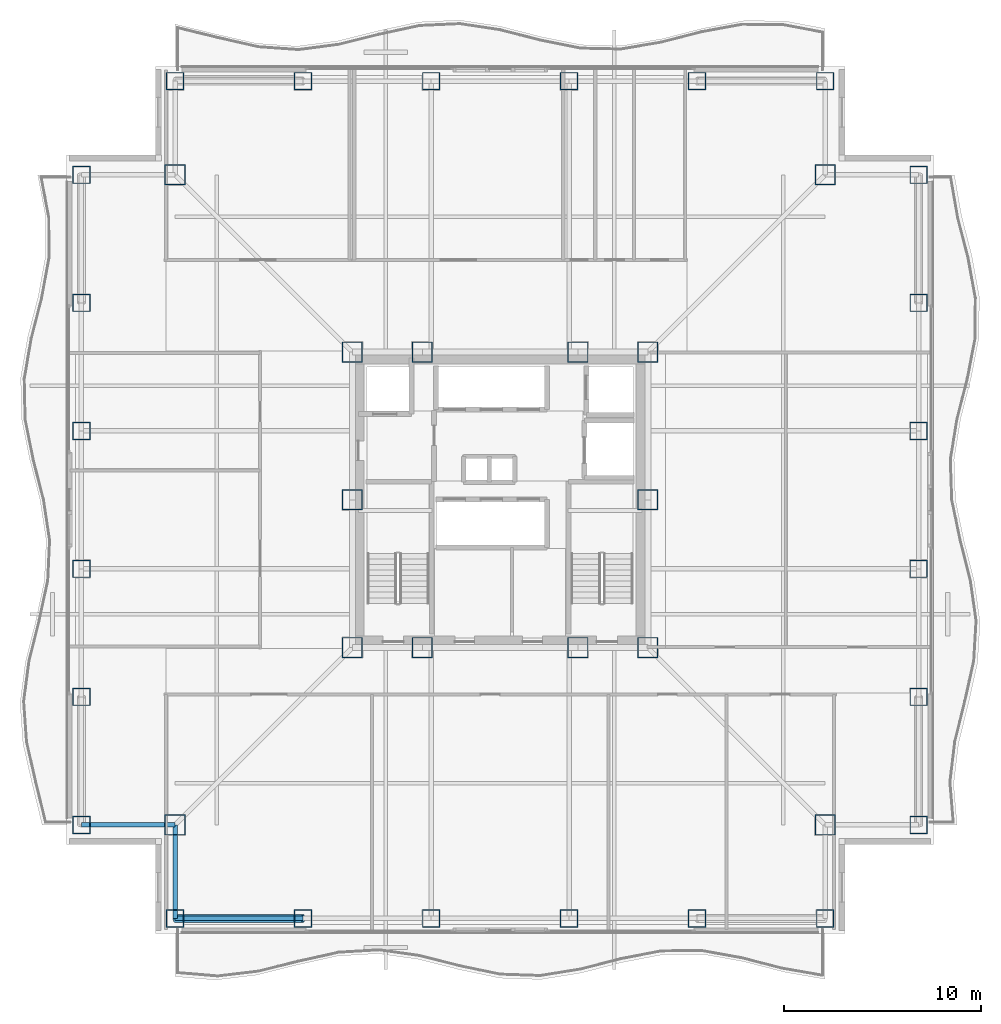
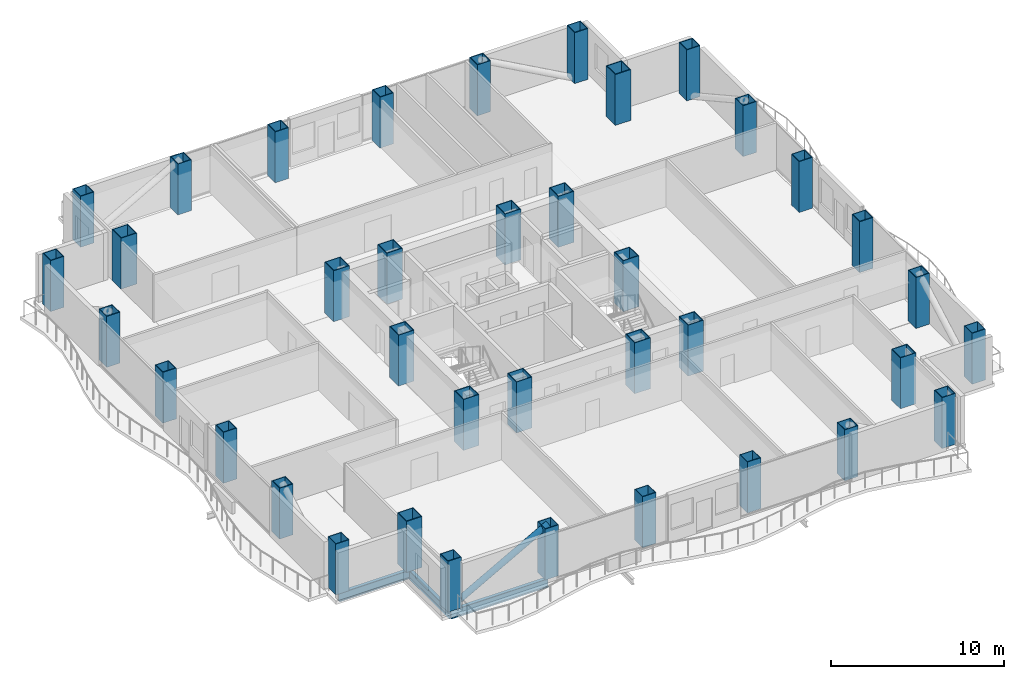
# One storey, part 1 of 18: 38 columns, 3 beams, 1 member.
"""IFC4 building model written with IfcOpenShell, lengths in metres."""

import ifcopenshell
import ifcopenshell.guid

model = None  # the IFC model being written
_history = None  # IfcOwnerHistory: only IFC2X3 demands one
_inside = {}  # id of a spatial element -> (the spatial element, [elements in it])
_under = {}  # id of a project, library or spatial element -> (it, [spatial elements below it])
_declared = {}  # id of a project -> (the project, [libraries it declares])
_typed = {}  # id of a type object -> (the type object, [elements of that type])
_made_of = {}  # id of a material, layer set ... -> (it, [elements and type objects made of it])


def new_model(schema):
    """Start an empty IFC model of exactly this schema.

    Asked for "IFC4X3", IfcOpenShell would pick the latest addendum, in which some entities
    have other attributes; the version numbers below select the first issue.
    IFC2X3 requires an IfcOwnerHistory on every rooted entity: one is made here for all.
    """
    global model, _history
    if schema == "IFC4X3":
        model = ifcopenshell.file(schema_version=(4, 3, 0, 0))
    else:
        model = ifcopenshell.file(schema=schema)
    _inside.clear()
    _under.clear()
    _declared.clear()
    _typed.clear()
    _made_of.clear()
    _history = None
    if model.schema == "IFC2X3":
        org = make("IfcOrganization", Name="unknown")
        user = make(
            "IfcPersonAndOrganization",
            ThePerson=make("IfcPerson", FamilyName="unknown"),
            TheOrganization=org,
        )
        app = make(
            "IfcApplication",
            ApplicationDeveloper=org,
            Version="unknown",
            ApplicationFullName="unknown",
            ApplicationIdentifier="unknown",
        )
        _history = make(
            "IfcOwnerHistory",
            OwningUser=user,
            OwningApplication=app,
            ChangeAction="ADDED",
            CreationDate=0,
        )
    return model


def make(cls, **values):
    """One entity of the class cls with the attributes given. An attribute that is None is left unset."""
    return model.create_entity(
        cls, **{name: value for name, value in values.items() if value is not None}
    )


def rooted(cls, **values):
    """An entity with a GlobalId (a new one), such as an element, a storey or a relation."""
    return make(cls, GlobalId=ifcopenshell.guid.new(), OwnerHistory=_history, **values)


def si_unit(unit_type, name, prefix=None):
    """IfcSIUnit, for example si_unit("LENGTHUNIT", "METRE", prefix="MILLI")."""
    return make("IfcSIUnit", UnitType=unit_type, Prefix=prefix, Name=name)


def assignment(units):
    """IfcUnitAssignment: the units of a project."""
    return None if units is None else make("IfcUnitAssignment", Units=units)


def point(xyz):
    """IfcCartesianPoint."""
    return None if xyz is None else make("IfcCartesianPoint", Coordinates=xyz)


def direction(xyz):
    """IfcDirection."""
    return None if xyz is None else make("IfcDirection", DirectionRatios=xyz)


def frame(location, z_axis=None, x_axis=None):
    """IfcAxis2Placement3D, a coordinate frame: its origin and axes. An axis left out is left unset."""
    return make(
        "IfcAxis2Placement3D",
        Location=point(location),
        Axis=direction(z_axis),
        RefDirection=direction(x_axis),
    )


def frame_2d(location, x_axis=None):
    """IfcAxis2Placement2D, a coordinate frame in the plane: its origin and x axis."""
    return make(
        "IfcAxis2Placement2D", Location=point(location), RefDirection=direction(x_axis)
    )


def origin():
    """The frame at (0, 0, 0) with its axes left unset."""
    return frame((0.0, 0.0, 0.0))


def origin_2d():
    """The frame at (0, 0) in the plane with its x axis left unset."""
    return frame_2d((0.0, 0.0))


def place(relative_to, where):
    """IfcLocalPlacement: puts the frame where relative to a parent placement (None: the world)."""
    return make(
        "IfcLocalPlacement", PlacementRelTo=relative_to, RelativePlacement=where
    )


def context(
    kind, dimensions, precision=None, world=None, true_north=None, identifier=None
):
    """IfcGeometricRepresentationContext, for example the 3D "Model" context."""
    return make(
        "IfcGeometricRepresentationContext",
        ContextIdentifier=identifier,
        ContextType=kind,
        CoordinateSpaceDimension=dimensions,
        Precision=precision,
        WorldCoordinateSystem=world,
        TrueNorth=true_north,
    )


def subcontext(parent, identifier, kind, view, scale=None):
    """IfcGeometricRepresentationSubContext, for example "Body" below "Model"."""
    return make(
        "IfcGeometricRepresentationSubContext",
        ContextIdentifier=identifier,
        ContextType=kind,
        ParentContext=parent,
        TargetScale=scale,
        TargetView=view,
    )


def project(units=None, contexts=None):
    """IfcProject with its units and contexts."""
    return rooted(
        "IfcProject",
        Name="project",
        RepresentationContexts=contexts,
        UnitsInContext=assignment(units),
    )


def spatial(cls, under=None, at=None, **own):
    """A site, building, storey or space (cls), placed at a placement, below another one or the project."""
    s = rooted(cls, ObjectPlacement=at, **own)
    if under is not None:
        _under.setdefault(under.id(), (under, []))[1].append(s)
    return s


def profile(cls, at=None, kind="AREA", **sizes):
    """A parametric profile (cls). Its sizes go by their IFC names, for example OverallWidth=200.0."""
    return make(cls, ProfileType=kind, Position=at, **sizes)


def hollow_rectangle(**sizes):
    """IfcRectangleHollowProfileDef."""
    return profile("IfcRectangleHollowProfileDef", **sizes)


def hollow_circle(**sizes):
    """IfcCircleHollowProfileDef."""
    return profile("IfcCircleHollowProfileDef", **sizes)


def i_section(**sizes):
    """IfcIShapeProfileDef."""
    return profile("IfcIShapeProfileDef", **sizes)


def extrude(swept, where, along, depth):
    """IfcExtrudedAreaSolid: the profile swept, set in the frame where, extruded along a direction by depth."""
    return make(
        "IfcExtrudedAreaSolid",
        SweptArea=swept,
        Position=where,
        ExtrudedDirection=direction(along),
        Depth=depth,
    )


def shape(context_of_items, identifier, shape_type, items):
    """IfcShapeRepresentation: the items that make up one representation, for example the "Body"."""
    return make(
        "IfcShapeRepresentation",
        ContextOfItems=context_of_items,
        RepresentationIdentifier=identifier,
        RepresentationType=shape_type,
        Items=items,
    )


def material(Name=None, Category=None):
    """IfcMaterial."""
    return make("IfcMaterial", Name=Name, Category=Category)


def material_profile(
    of_material, cross_section, Name=None, Category=None, Priority=None
):
    """IfcMaterialProfile: a cross section and its material."""
    return make(
        "IfcMaterialProfile",
        Name=Name,
        Material=of_material,
        Profile=cross_section,
        Priority=Priority,
        Category=Category,
    )


def profile_set(profiles, Name=None, composite=None):
    """IfcMaterialProfileSet."""
    return make(
        "IfcMaterialProfileSet",
        Name=Name,
        MaterialProfiles=profiles,
        CompositeProfile=composite,
    )


def made_of(thing, what):
    """Note that an element or type object is made of a material, layer set ...; save() writes the relation."""
    if what is not None:
        _made_of.setdefault(what.id(), (what, []))[1].append(thing)
    return thing


def type_object(cls, material=None, **own):
    """A type object (cls), such as IfcWallType, which elements share."""
    return made_of(rooted(cls, **own), material)


def element(
    cls,
    number,
    at=None,
    inside=None,
    cuts=None,
    type_object=None,
    material=None,
    context=None,
    identifier="Body",
    shape_type=None,
    held_by="IfcProductDefinitionShape",
    body=None,
    shapes=None,
    **own,
):
    """One element of the class cls, such as IfcWall. Its Tag is "e" and its number.

    at: its placement. inside: the storey or other place that contains it. cuts: it is an
    opening in that element (IfcRelVoidsElement). A single representation is given by context,
    identifier, shape_type and body (its items); several are given by shapes. held_by: the class
    of the entity that holds the representations. save() writes the other relations.
    """
    e = rooted(cls, Tag="e%d" % number, ObjectPlacement=at, **own)
    if body is not None:
        shapes = [shape(context, identifier, shape_type, body)]
    if shapes is not None:
        e.Representation = make(held_by, Representations=shapes)
    if inside is not None:
        _inside.setdefault(inside.id(), (inside, []))[1].append(e)
    if cuts is not None:
        rooted(
            "IfcRelVoidsElement", RelatingBuildingElement=cuts, RelatedOpeningElement=e
        )
    if type_object is not None:
        _typed.setdefault(type_object.id(), (type_object, []))[1].append(e)
    return made_of(e, material)


def aggregate(whole, parts):
    """IfcRelAggregates: a whole, such as a stair, and the parts it consists of."""
    return rooted("IfcRelAggregates", RelatingObject=whole, RelatedObjects=parts)


def save(model, path):
    """Write the relations noted so far, then the file.

    IfcRelAggregates (storeys below a building ...), IfcRelContainedInSpatialStructure (elements
    in a storey), IfcRelDefinesByType, IfcRelAssociatesMaterial and IfcRelDeclares: one each for
    every whole, place, type object, material and project.
    """
    for whole, parts in _under.values():
        aggregate(whole, parts)
    for where, things in _inside.values():
        rooted(
            "IfcRelContainedInSpatialStructure",
            RelatedElements=things,
            RelatingStructure=where,
        )
    for kind, things in _typed.values():
        rooted("IfcRelDefinesByType", RelatedObjects=things, RelatingType=kind)
    for what, things in _made_of.values():
        rooted("IfcRelAssociatesMaterial", RelatedObjects=things, RelatingMaterial=what)
    for by, libraries in _declared.values():
        rooted("IfcRelDeclares", RelatingContext=by, RelatedDefinitions=libraries)
    model.write(path)


model = new_model("IFC4")

# Units and contexts
model_context = context("Model", 3, precision=1e-05, world=origin(), true_north=direction((0.0, 1.0)))
body_context = subcontext(model_context, "Body", "Model", "MODEL_VIEW")
ifc_project = project(units=[si_unit("LENGTHUNIT", "METRE"), si_unit("AREAUNIT", "SQUARE_METRE"), si_unit("VOLUMEUNIT", "CUBIC_METRE"), si_unit("PLANEANGLEUNIT", "RADIAN"), si_unit("MASSUNIT", "GRAM", prefix="KILO")], contexts=[model_context])

# Site, building, storey
site_placement = place(None, origin())
site = spatial("IfcSite", under=ifc_project, at=site_placement, CompositionType="ELEMENT")
building_placement = place(site_placement, origin())
building = spatial("IfcBuilding", under=site, at=building_placement, Name="Trevonay Congress Spire", CompositionType="ELEMENT")
storey_placement = place(building_placement, frame((0.0, 0.0, 122.800048828125)))
storey = spatial("IfcBuildingStorey", under=building, at=storey_placement, Name="L31", CompositionType="ELEMENT", Elevation=122.800048828125)

# Columns
ifc_material_1 = material(Name="Steel ASTM A572 Grade 50", Category="steel")
ifc_material_profile_1 = material_profile(ifc_material_1, hollow_rectangle(XDim=1.050048828125, YDim=1.050048828125, WallThickness=0.050048828125, at=origin_2d()), Name="BOX 1050x1050x50")
ifc_profile_set_1 = profile_set([ifc_material_profile_1], Name="Steel ASTM A572 Grade 50")
column_type_1 = type_object("IfcColumnType", Name="COL-CORE-BOX1050", PredefinedType="COLUMN", material=ifc_profile_set_1)
for number, where, z_axis, x_axis, name in (
    (1, (-7.5, -7.5, 0.0), (0.0, 0.0, 1.0), (1.0, 0.0, 0.0), "L31 column C03 at CC-SW"),
    (2, (-3.949951171875, -7.5, 0.0), (0.0, 0.0, 1.0), (1.0, 0.0, 0.0), "L31 column C03 at CC-SMW"),
    (3, (3.949951171875, -7.5, 0.0), (0.0, 0.0, 1.0), (1.0, 0.0, 0.0), "L31 column C03 at CC-SME"),
    (4, (7.5, -7.5, 0.0), (0.0, 0.0, 1.0), (1.0, 0.0, 0.0), "L31 column C03 at CC-SE"),
    (5, (7.5, 0.0, 0.0), (0.0, 0.0, 1.0), (1.0, 0.0, 0.0), "L31 column C03 at CC-E"),
    (6, (7.5, 7.5, 0.0), (0.0, 0.0, 1.0), (1.0, 0.0, 0.0), "L31 column C03 at CC-NE"),
    (7, (3.949951171875, 7.5, 0.0), (0.0, 0.0, 1.0), (1.0, 0.0, 0.0), "L31 column C03 at CC-NME"),
    (8, (-3.949951171875, 7.5, 0.0), (0.0, 0.0, 1.0), (1.0, 0.0, 0.0), "L31 column C03 at CC-NMW"),
    (9, (-7.5, 7.5, 0.0), (0.0, 0.0, 1.0), (1.0, 0.0, 0.0), "L31 column C03 at CC-NW"),
    (10, (-7.5, 0.0, 0.0), (0.0, 0.0, 1.0), (1.0, 0.0, 0.0), "L31 column C03 at CC-W"),
):
    element("IfcColumn", number, at=place(storey_placement, frame(where, z_axis=z_axis, x_axis=x_axis)), inside=storey, type_object=column_type_1, Name=name, PredefinedType="COLUMN", context=body_context, shape_type="SweptSolid", body=[
        extrude(hollow_rectangle(XDim=1.050048828125, YDim=1.050048828125, WallThickness=0.050048828125, at=origin_2d()), origin(), (0.0, 0.0, 1.0), 3.599853515625),
    ])
ifc_material_profile_2 = material_profile(ifc_material_1, hollow_rectangle(XDim=1.050048828125, YDim=1.050048828125, WallThickness=0.050048828125, at=origin_2d()), Name="BOX 1050x1050x50")
ifc_profile_set_2 = profile_set([ifc_material_profile_2], Name="Steel ASTM A572 Grade 50")
column_type_2 = type_object("IfcColumnType", Name="COL-TUBE-BOX1050", PredefinedType="COLUMN", material=ifc_profile_set_2)
for number, where, z_axis, x_axis, name in (
    (11, (-16.5, -16.5, 0.0), (0.0, 0.0, 1.0), (1.0, 0.0, 0.0), "L31 column C14 at NC-SW"),
    (12, (16.5, -16.5, 0.0), (0.0, 0.0, 1.0), (1.0, 0.0, 0.0), "L31 column C14 at NC-SE"),
    (13, (16.5, 16.5, 0.0), (0.0, 0.0, 1.0), (1.0, 0.0, 0.0), "L31 column C14 at NC-NE"),
    (14, (-16.5, 16.5, 0.0), (0.0, 0.0, 1.0), (1.0, 0.0, 0.0), "L31 column C14 at NC-NW"),
):
    element("IfcColumn", number, at=place(storey_placement, frame(where, z_axis=z_axis, x_axis=x_axis)), inside=storey, type_object=column_type_2, Name=name, PredefinedType="COLUMN", context=body_context, shape_type="SweptSolid", body=[
        extrude(hollow_rectangle(XDim=1.050048828125, YDim=1.050048828125, WallThickness=0.050048828125, at=origin_2d()), origin(), (0.0, 0.0, 1.0), 3.599853515625),
    ])
ifc_material_profile_3 = material_profile(ifc_material_1, hollow_rectangle(XDim=0.89990234375, YDim=0.89990234375, WallThickness=0.044921875, at=origin_2d()), Name="BOX 900x900x45")
ifc_profile_set_3 = profile_set([ifc_material_profile_3], Name="Steel ASTM A572 Grade 50")
column_type_3 = type_object("IfcColumnType", Name="COL-TUBE-BOX900", PredefinedType="COLUMN", material=ifc_profile_set_3)
for number, where, z_axis, x_axis, name in (
    (15, (-16.5, -21.25, 0.0), (0.0, 0.0, 1.0), (1.0, 0.0, 0.0), "L31 column C15 at TS-1"),
    (16, (-16.5, 21.25, 0.0), (0.0, 0.0, 1.0), (1.0, 0.0, 0.0), "L31 column C15 at TN-1"),
    (17, (-21.25, -16.5, 0.0), (0.0, 0.0, 1.0), (1.0, 0.0, 0.0), "L31 column C15 at TW-1"),
    (18, (21.25, -16.5, 0.0), (0.0, 0.0, 1.0), (1.0, 0.0, 0.0), "L31 column C15 at TE-1"),
    (19, (-10.0, -21.25, 0.0), (0.0, 0.0, 1.0), (1.0, 0.0, 0.0), "L31 column C15 at TS-2"),
    (20, (-10.0, 21.25, 0.0), (0.0, 0.0, 1.0), (1.0, 0.0, 0.0), "L31 column C15 at TN-2"),
    (21, (-21.25, -10.0, 0.0), (0.0, 0.0, 1.0), (1.0, 0.0, 0.0), "L31 column C15 at TW-2"),
    (22, (21.25, -10.0, 0.0), (0.0, 0.0, 1.0), (1.0, 0.0, 0.0), "L31 column C15 at TE-2"),
    (23, (-3.5, -21.25, 0.0), (0.0, 0.0, 1.0), (1.0, 0.0, 0.0), "L31 column C15 at TS-3"),
    (24, (-3.5, 21.25, 0.0), (0.0, 0.0, 1.0), (1.0, 0.0, 0.0), "L31 column C15 at TN-3"),
    (25, (-21.25, -3.5, 0.0), (0.0, 0.0, 1.0), (1.0, 0.0, 0.0), "L31 column C15 at TW-3"),
    (26, (21.25, -3.5, 0.0), (0.0, 0.0, 1.0), (1.0, 0.0, 0.0), "L31 column C15 at TE-3"),
    (27, (3.5, -21.25, 0.0), (0.0, 0.0, 1.0), (1.0, 0.0, 0.0), "L31 column C15 at TS-4"),
    (28, (3.5, 21.25, 0.0), (0.0, 0.0, 1.0), (1.0, 0.0, 0.0), "L31 column C15 at TN-4"),
    (29, (-21.25, 3.5, 0.0), (0.0, 0.0, 1.0), (1.0, 0.0, 0.0), "L31 column C15 at TW-4"),
    (30, (21.25, 3.5, 0.0), (0.0, 0.0, 1.0), (1.0, 0.0, 0.0), "L31 column C15 at TE-4"),
    (31, (10.0, -21.25, 0.0), (0.0, 0.0, 1.0), (1.0, 0.0, 0.0), "L31 column C15 at TS-5"),
    (32, (10.0, 21.25, 0.0), (0.0, 0.0, 1.0), (1.0, 0.0, 0.0), "L31 column C15 at TN-5"),
    (33, (-21.25, 10.0, 0.0), (0.0, 0.0, 1.0), (1.0, 0.0, 0.0), "L31 column C15 at TW-5"),
    (34, (21.25, 10.0, 0.0), (0.0, 0.0, 1.0), (1.0, 0.0, 0.0), "L31 column C15 at TE-5"),
    (35, (16.5, -21.25, 0.0), (0.0, 0.0, 1.0), (1.0, 0.0, 0.0), "L31 column C15 at TS-6"),
    (36, (16.5, 21.25, 0.0), (0.0, 0.0, 1.0), (1.0, 0.0, 0.0), "L31 column C15 at TN-6"),
    (37, (-21.25, 16.5, 0.0), (0.0, 0.0, 1.0), (1.0, 0.0, 0.0), "L31 column C15 at TW-6"),
    (38, (21.25, 16.5, 0.0), (0.0, 0.0, 1.0), (1.0, 0.0, 0.0), "L31 column C15 at TE-6"),
):
    element("IfcColumn", number, at=place(storey_placement, frame(where, z_axis=z_axis, x_axis=x_axis)), inside=storey, type_object=column_type_3, Name=name, PredefinedType="COLUMN", context=body_context, shape_type="SweptSolid", body=[
        extrude(hollow_rectangle(XDim=0.89990234375, YDim=0.89990234375, WallThickness=0.044921875, at=origin_2d()), origin(), (0.0, 0.0, 1.0), 3.599853515625),
    ])

# Beams
ifc_material_profile_4 = material_profile(ifc_material_1, i_section(OverallWidth=0.22802734375, OverallDepth=0.60791015625, WebThickness=0.01123046875, FlangeThickness=0.017333984375, FilletRadius=0.01611328125, at=origin_2d()), Name="W610x113")
ifc_profile_set_4 = profile_set([ifc_material_profile_4], Name="Steel ASTM A572 Grade 50")
beam_type = type_object("IfcBeamType", Name="BM-RING-W610X113", PredefinedType="BEAM", material=ifc_profile_set_4)
beam_placement = place(storey_placement, frame((-16.5, -21.25, -0.5439453125), z_axis=(1.0, 0.0, 0.0), x_axis=(0.0, 1.0, 0.0)))
element("IfcBeam", 39, at=beam_placement, inside=storey, type_object=beam_type, Name="L31 structural beam BM-L31-PS1", PredefinedType="BEAM", context=body_context, shape_type="SweptSolid", body=[
    extrude(i_section(OverallWidth=0.22802734375, OverallDepth=0.60791015625, WebThickness=0.01123046875, FlangeThickness=0.017333984375, FilletRadius=0.01611328125, at=origin_2d()), origin(), (0.0, 0.0, 1.0), 6.5),
])
for number, where, z_axis, x_axis, name in (
    (40, (-16.5, -21.25, -0.5439453125), (0.0, 1.0, 0.0), (-1.0, 0.0, 0.0), "L31 structural beam BM-L31-N1SW"),
    (41, (-21.25, -16.5, -0.5439453125), (1.0, 0.0, 0.0), (0.0, 1.0, 0.0), "L31 structural beam BM-L31-N2SW"),
):
    element("IfcBeam", number, at=place(storey_placement, frame(where, z_axis=z_axis, x_axis=x_axis)), inside=storey, type_object=beam_type, Name=name, PredefinedType="BEAM", context=body_context, shape_type="SweptSolid", body=[
        extrude(i_section(OverallWidth=0.22802734375, OverallDepth=0.60791015625, WebThickness=0.01123046875, FlangeThickness=0.017333984375, FilletRadius=0.01611328125, at=origin_2d()), origin(), (0.0, 0.0, 1.0), 4.75),
    ])

# Member
ifc_material_2 = material(Name="Steel ASTM A500 Grade C", Category="steel")
ifc_material_profile_5 = material_profile(ifc_material_2, hollow_circle(Radius=0.203125, WallThickness=0.02001953125, at=origin_2d()), Name="CHS 406.4x20")
ifc_profile_set_5 = profile_set([ifc_material_profile_5], Name="Steel ASTM A500 Grade C")
member_type = type_object("IfcMemberType", Name="MBR-TUBE-CHS406", PredefinedType="BRACE", material=ifc_profile_set_5)
member_placement = place(storey_placement, frame((-16.5, -21.25, -0.050048828125), z_axis=(0.874785785626, 0.0, 0.484509885623), x_axis=(0.0, 1.0, 0.0)))
element("IfcMember", 42, at=member_placement, inside=storey, type_object=member_type, Name="L31 perimeter braced-tube diagonal S0", PredefinedType="BRACE", context=body_context, shape_type="SweptSolid", body=[
    extrude(hollow_circle(Radius=0.203125, WallThickness=0.02001953125, at=origin_2d()), origin(), (0.0, 0.0, 1.0), 7.430419921875),
])

save(model, "model.ifc")
